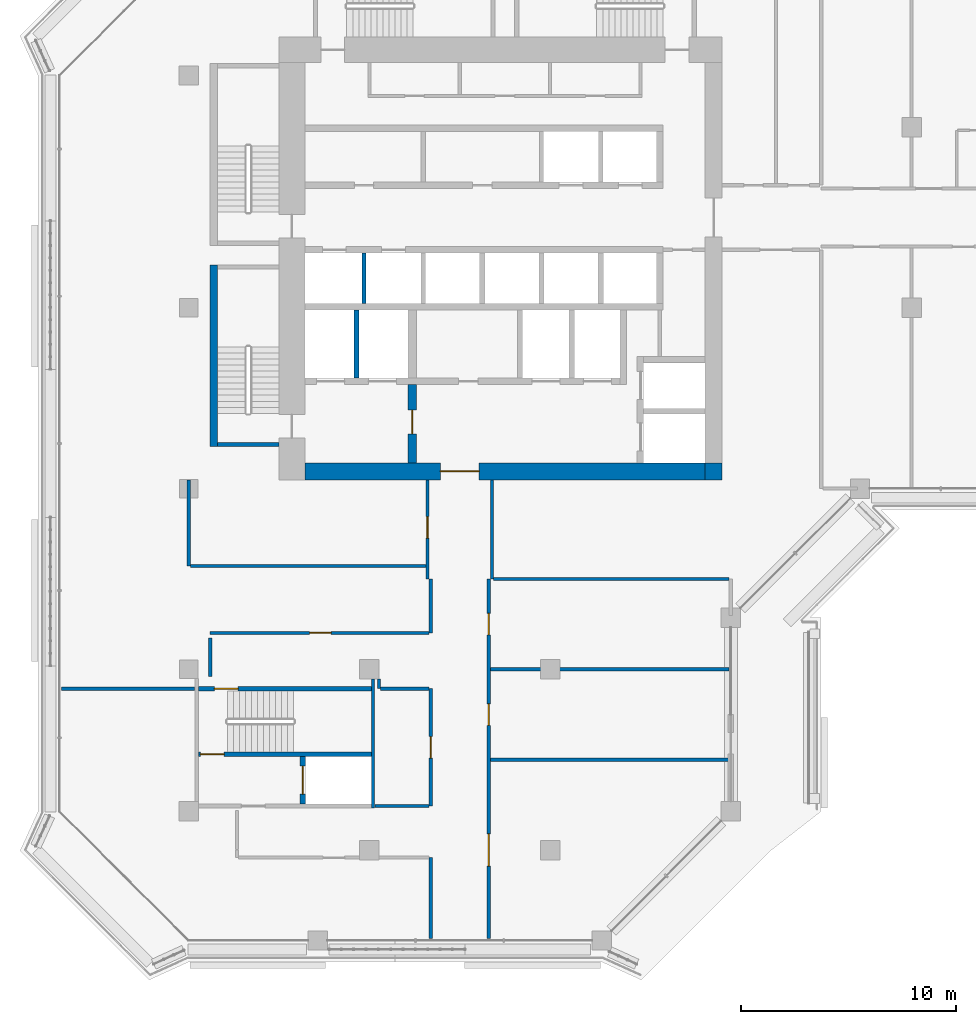
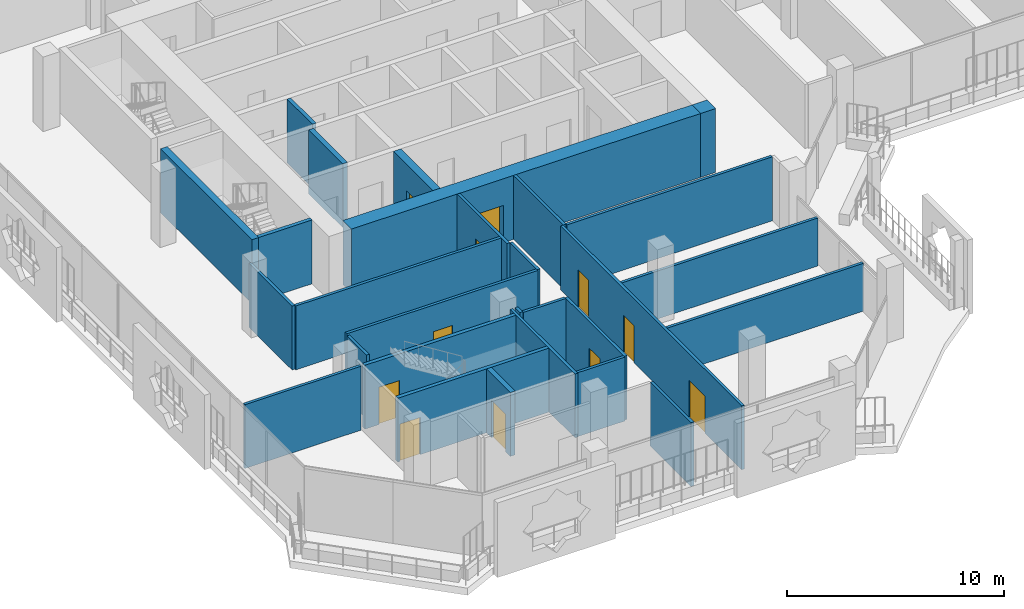
# One storey, part 10 of 22: 28 walls, 11 doors, 11 openings.
"""IFC4 building model written with IfcOpenShell, lengths in metres."""

from ifc_helpers import new_model, si_unit, direction, frame, frame_2d, origin, place, context, subcontext, project, spatial, rectangle, extrude, material, layer, layer_set, type_object, element, fill, save


model = new_model("IFC4")

# Units and contexts
model_context = context("Model", 3, precision=1e-05, world=origin(), true_north=direction((0.0, 1.0)))
body_context = subcontext(model_context, "Body", "Model", "MODEL_VIEW")
ifc_project = project(units=[si_unit("LENGTHUNIT", "METRE"), si_unit("AREAUNIT", "SQUARE_METRE"), si_unit("VOLUMEUNIT", "CUBIC_METRE"), si_unit("PLANEANGLEUNIT", "RADIAN"), si_unit("MASSUNIT", "GRAM", prefix="KILO")], contexts=[model_context])

# Site, building, storey
site_placement = place(None, origin())
site = spatial("IfcSite", under=ifc_project, at=site_placement, CompositionType="ELEMENT")
building_placement = place(site_placement, origin())
building = spatial("IfcBuilding", under=site, at=building_placement, Name="Kawkab Arch Medical Tower", CompositionType="ELEMENT")
storey_placement = place(building_placement, frame((0.0, 0.0, 251.60009765625)))
storey = spatial("IfcBuildingStorey", under=building, at=storey_placement, Name="L58", CompositionType="ELEMENT", Elevation=251.60009765625)

# Wall, opening, door
ifc_material_1 = material(Name="Concrete C50/60", Category="concrete")
ifc_layer_1 = layer(ifc_material_1, 0.800048828125)
ifc_layer_set_1 = layer_set([ifc_layer_1], Name="Concrete C50/60")
wall_type_1 = type_object("IfcWallType", Name="Core ring wall 800 C50/60", PredefinedType="SHEAR", material=ifc_layer_set_1)
wall_1_placement = place(storey_placement, frame((5.39990234375, -24.39990234375, 0.0), z_axis=(0.0, 0.0, 1.0), x_axis=(1.0, 0.0, 0.0)))
wall_1 = element("IfcWall", 1, at=wall_1_placement, inside=storey, type_object=wall_type_1, Name="L58 core wall", PredefinedType="SHEAR", context=body_context, shape_type="SweptSolid", body=[
    extrude(rectangle(XDim=18.60009765625, YDim=0.800048828125, at=frame_2d((9.300048828125, 0.0))), origin(), (0.0, 0.0, 1.0), 3.599853515625),
])
opening_1_placement = place(wall_1_placement, frame((6.300048828125, 0.0, 0.0)))
opening_1 = element("IfcOpeningElement", 2, at=opening_1_placement, cuts=wall_1, Name="Opening PD", PredefinedType="OPENING", context=body_context, shape_type="SweptSolid", body=[
    extrude(rectangle(XDim=1.800048828125, YDim=2.10009765625, at=frame_2d((0.89990234375, 1.050048828125))), frame((0.0, 0.409912109375, 0.0), z_axis=(0.0, -1.0, 0.0), x_axis=(1.0, 0.0, 0.0)), (0.0, 0.0, 1.0), 0.820068359375),
])
ifc_material_2 = material(Name="Hollow metal fire door leaf")
door_type_1 = type_object("IfcDoorType", Name="Core entrance doors 1800", OperationType="DOUBLE_DOOR_SINGLE_SWING", PredefinedType="DOOR", material=ifc_material_2)
door_1_placement = place(opening_1_placement, origin())
door_1 = element("IfcDoor", 3, at=door_1_placement, inside=storey, type_object=door_type_1, Name="L58 South entrance doors", OperationType="DOUBLE_DOOR_SINGLE_SWING", OverallHeight=2.10009765625, OverallWidth=1.800048828125, PredefinedType="DOOR", context=body_context, shape_type="SweptSolid", body=[
    extrude(rectangle(XDim=1.800048828125, YDim=2.10009765625, at=frame_2d((0.89990234375, 1.050048828125))), frame((0.0, 0.02490234375, 0.0), z_axis=(0.0, -1.0, 0.0), x_axis=(1.0, 0.0, 0.0)), (0.0, 0.0, 1.0), 0.050048828125),
])
fill(opening_1, door_1)

# Walls
wall_2_placement = place(storey_placement, frame((24.39990234375, -24.800048828125, 0.0), z_axis=(0.0, 0.0, 1.0), x_axis=(0.0, 1.0, 0.0)))
element("IfcWall", 4, at=wall_2_placement, inside=storey, type_object=wall_type_1, Name="L58 core wall", PredefinedType="SHEAR", context=body_context, shape_type="SweptSolid", body=[
    extrude(rectangle(XDim=0.800048828125, YDim=0.800048828125, at=frame_2d((0.39990234375, 0.0))), origin(), (0.0, 0.0, 1.0), 3.599853515625),
])
ifc_material_3 = material(Name="Concrete C60/75", Category="concrete")
ifc_layer_2 = layer(ifc_material_3, 0.25)
ifc_layer_set_2 = layer_set([ifc_layer_2], Name="Concrete C60/75")
wall_type_2 = type_object("IfcWallType", Name="Core shear wall 250 C60/75", PredefinedType="SHEAR", material=ifc_layer_set_2)
wall_3_placement = place(storey_placement, frame((7.800048828125, -20.050048828125, 0.0), z_axis=(0.0, 0.0, 1.0), x_axis=(0.0, 1.0, 0.0)))
element("IfcWall", 5, at=wall_3_placement, inside=storey, type_object=wall_type_2, Name="L58 core shear wall", PredefinedType="SHEAR", context=body_context, shape_type="SweptSolid", body=[
    extrude(rectangle(XDim=3.150146484375, YDim=0.25, at=frame_2d((1.5751953125, 0.0))), origin(), (0.0, 0.0, 1.0), 3.599853515625),
])

# Wall, opening, door
wall_4_placement = place(storey_placement, frame((5.300048828125, -39.85009765625, 0.0), z_axis=(0.0, 0.0, 1.0), x_axis=(0.0, 1.0, 0.0)))
wall_4 = element("IfcWall", 6, at=wall_4_placement, inside=storey, type_object=wall_type_2, Name="L58 core shear wall", PredefinedType="SHEAR", context=body_context, shape_type="SweptSolid", body=[
    extrude(rectangle(XDim=2.2001953125, YDim=0.25, at=frame_2d((1.10009765625, 0.0))), origin(), (0.0, 0.0, 1.0), 3.599853515625),
])
opening_2_placement = place(wall_4_placement, frame((0.449951171875, 0.0, 0.0)))
opening_2 = element("IfcOpeningElement", 7, at=opening_2_placement, cuts=wall_4, Name="Opening LD2", PredefinedType="OPENING", context=body_context, shape_type="SweptSolid", body=[
    extrude(rectangle(XDim=1.300048828125, YDim=2.10009765625, at=frame_2d((0.64990234375, 1.050048828125))), frame((0.0, 0.135009765625, 0.0), z_axis=(0.0, -1.0, 0.0), x_axis=(1.0, 0.0, 0.0)), (0.0, 0.0, 1.0), 0.27001953125),
])
ifc_material_4 = material(Name="Stainless steel lift door leaf", Category="steel")
door_type_2 = type_object("IfcDoorType", Name="Lift landing door 1300", OperationType="DOUBLE_DOOR_SLIDING", PredefinedType="DOOR", material=ifc_material_4)
door_2_placement = place(opening_2_placement, origin())
door_2 = element("IfcDoor", 8, at=door_2_placement, inside=storey, type_object=door_type_2, Name="L58 Lift landing door SV2", OperationType="DOUBLE_DOOR_SLIDING", OverallHeight=2.10009765625, OverallWidth=1.300048828125, PredefinedType="DOOR", context=body_context, shape_type="SweptSolid", body=[
    extrude(rectangle(XDim=1.300048828125, YDim=2.10009765625, at=frame_2d((0.64990234375, 1.050048828125))), frame((0.0, 0.02490234375, 0.0), z_axis=(0.0, -1.0, 0.0), x_axis=(1.0, 0.0, 0.0)), (0.0, 0.0, 1.0), 0.050048828125),
])
fill(opening_2, door_2)

ifc_material_5 = material(Name="Concrete C60/75", Category="concrete")
ifc_layer_3 = layer(ifc_material_5, 0.39990234375)
ifc_layer_set_3 = layer_set([ifc_layer_3], Name="Concrete C60/75")
wall_type_3 = type_object("IfcWallType", Name="Core shear wall 400 C60/75", PredefinedType="SHEAR", material=ifc_layer_set_3)
wall_5_placement = place(storey_placement, frame((10.39990234375, -24.0, 0.0), z_axis=(0.0, 0.0, 1.0), x_axis=(0.0, 1.0, 0.0)))
wall_5 = element("IfcWall", 9, at=wall_5_placement, inside=storey, type_object=wall_type_3, Name="L58 core shear wall", PredefinedType="SHEAR", context=body_context, shape_type="SweptSolid", body=[
    extrude(rectangle(XDim=3.64990234375, YDim=0.39990234375, at=frame_2d((1.824951171875, 0.0))), origin(), (0.0, 0.0, 1.0), 3.599853515625),
])
opening_3_placement = place(wall_5_placement, frame((1.35009765625, 0.0, 0.0)))
opening_3 = element("IfcOpeningElement", 10, at=opening_3_placement, cuts=wall_5, Name="Opening FD", PredefinedType="OPENING", context=body_context, shape_type="SweptSolid", body=[
    extrude(rectangle(XDim=1.10009765625, YDim=2.10009765625, at=frame_2d((0.550048828125, 1.050048828125))), frame((0.0, 0.2099609375, 0.0), z_axis=(0.0, -1.0, 0.0), x_axis=(1.0, 0.0, 0.0)), (0.0, 0.0, 1.0), 0.419921875),
])
ifc_material_6 = material(Name="Hollow metal fire door leaf")
door_type_3 = type_object("IfcDoorType", Name="Firefighting lobby door 1100", OperationType="SINGLE_SWING_LEFT", PredefinedType="DOOR", material=ifc_material_6)
door_3_placement = place(opening_3_placement, origin())
door_3 = element("IfcDoor", 11, at=door_3_placement, inside=storey, type_object=door_type_3, Name="L58 Firefighting lobby door", OperationType="SINGLE_SWING_LEFT", OverallHeight=2.10009765625, OverallWidth=1.10009765625, PredefinedType="DOOR", context=body_context, shape_type="SweptSolid", body=[
    extrude(rectangle(XDim=1.10009765625, YDim=2.10009765625, at=frame_2d((0.550048828125, 1.050048828125))), frame((0.0, 0.02490234375, 0.0), z_axis=(0.0, -1.0, 0.0), x_axis=(1.0, 0.0, 0.0)), (0.0, 0.0, 1.0), 0.050048828125),
])
fill(opening_3, door_3)

# Walls
ifc_material_7 = material(Name="Dense concrete blockwork", Category="masonry")
ifc_layer_4 = layer(ifc_material_7, 0.199951171875)
ifc_layer_set_4 = layer_set([ifc_layer_4], Name="Dense concrete blockwork")
wall_type_4 = type_object("IfcWallType", Name="Lift shaft partition 200", PredefinedType="PARTITIONING", material=ifc_layer_set_4)
wall_6_placement = place(storey_placement, frame((8.14990234375, -16.60009765625, 0.0), z_axis=(0.0, 0.0, 1.0), x_axis=(0.0, 1.0, 0.0)))
element("IfcWall", 12, at=wall_6_placement, inside=storey, type_object=wall_type_4, Name="L58 lift shaft partition", PredefinedType="PARTITIONING", context=body_context, shape_type="SweptSolid", body=[
    extrude(rectangle(XDim=2.35009765625, YDim=0.199951171875, at=frame_2d((1.175048828125, 0.0))), origin(), (0.0, 0.0, 1.0), 3.599853515625),
])
ifc_material_8 = material(Name="Gypsum board partition on steel studs, mineral wool", Category="steel")
ifc_layer_5 = layer(ifc_material_8, 0.14990234375)
ifc_layer_set_5 = layer_set([ifc_layer_5], Name="Gypsum board partition on steel studs, mineral wool")
wall_type_5 = type_object("IfcWallType", Name="Partition 150", PredefinedType="PARTITIONING", material=ifc_layer_set_5)
wall_7_placement = place(storey_placement, frame((8.64990234375, -39.949951171875, 0.0), z_axis=(0.0, 0.0, 1.0), x_axis=(1.0, 0.0, 0.0)))
element("IfcWall", 13, at=wall_7_placement, inside=storey, type_object=wall_type_5, Name="Partition 150 w013", PredefinedType="PARTITIONING", context=body_context, shape_type="SweptSolid", body=[
    extrude(rectangle(XDim=2.525146484375, YDim=0.14990234375, at=frame_2d((1.2626953125, 0.0))), origin(), (0.0, 0.0, 1.0), 3.599853515625),
])
wall_8_placement = place(storey_placement, frame((14.02490234375, -37.800048828125, 0.0), z_axis=(0.0, 0.0, 1.0), x_axis=(1.0, 0.0, 0.0)))
element("IfcWall", 14, at=wall_8_placement, inside=storey, type_object=wall_type_5, Name="Partition 150 w014", PredefinedType="PARTITIONING", context=body_context, shape_type="SweptSolid", body=[
    extrude(rectangle(XDim=11.09521484375, YDim=0.14990234375, at=frame_2d((5.547607421875, 0.0))), origin(), (0.0, 0.0, 1.0), 2.699951171875),
])
wall_9_placement = place(storey_placement, frame((-5.919921875, -34.5, 0.0), z_axis=(0.0, 0.0, 1.0), x_axis=(1.0, 0.0, 0.0)))
element("IfcWall", 15, at=wall_9_placement, inside=storey, type_object=wall_type_5, Name="Partition 150 w015", PredefinedType="PARTITIONING", context=body_context, shape_type="SweptSolid", body=[
    extrude(rectangle(XDim=6.18994140625, YDim=0.14990234375, at=frame_2d((3.094970703125, 0.0))), origin(), (0.0, 0.0, 1.0), 3.599853515625),
])
wall_10_placement = place(storey_placement, frame((8.927001953125, -34.5, 0.0), z_axis=(0.0, 0.0, 1.0), x_axis=(1.0, 0.0, 0.0)))
element("IfcWall", 16, at=wall_10_placement, inside=storey, type_object=wall_type_5, Name="Partition 150 w016", PredefinedType="PARTITIONING", context=body_context, shape_type="SweptSolid", body=[
    extrude(rectangle(XDim=2.248046875, YDim=0.14990234375, at=frame_2d((1.1240234375, 0.0))), origin(), (0.0, 0.0, 1.0), 3.599853515625),
])
wall_11_placement = place(storey_placement, frame((14.02490234375, -33.60009765625, 0.0), z_axis=(0.0, 0.0, 1.0), x_axis=(1.0, 0.0, 0.0)))
element("IfcWall", 17, at=wall_11_placement, inside=storey, type_object=wall_type_5, Name="Partition 150 w017", PredefinedType="PARTITIONING", context=body_context, shape_type="SweptSolid", body=[
    extrude(rectangle(XDim=11.09521484375, YDim=0.14990234375, at=frame_2d((5.547607421875, 0.0))), origin(), (0.0, 0.0, 1.0), 2.699951171875),
])

# Wall, opening, door
wall_12_placement = place(storey_placement, frame((1.001953125, -31.906982421875, 0.0), z_axis=(0.0, 0.0, 1.0), x_axis=(1.0, 0.0, 0.0)))
wall_12 = element("IfcWall", 18, at=wall_12_placement, inside=storey, type_object=wall_type_5, Name="Partition 150 w018", PredefinedType="PARTITIONING", context=body_context, shape_type="SweptSolid", body=[
    extrude(rectangle(XDim=10.173095703125, YDim=0.14990234375, at=frame_2d((5.08642578125, 0.0))), origin(), (0.0, 0.0, 1.0), 3.599853515625),
])
opening_4_placement = place(wall_12_placement, frame((4.6240234375, 0.0, 0.0)))
opening_4 = element("IfcOpeningElement", 19, at=opening_4_placement, cuts=wall_12, Name="Opening W53-018", PredefinedType="OPENING", context=body_context, shape_type="SweptSolid", body=[
    extrude(rectangle(XDim=1.0, YDim=2.10009765625, at=frame_2d((0.5, 1.050048828125))), frame((0.0, 0.0849609375, 0.0), z_axis=(0.0, -1.0, 0.0), x_axis=(1.0, 0.0, 0.0)), (0.0, 0.0, 1.0), 0.169921875),
])
ifc_material_9 = material(Name="Hollow metal door leaf")
door_type_4 = type_object("IfcDoorType", Name="Single door 1000x2100 FD30S", OperationType="NOTDEFINED", PredefinedType="DOOR", material=ifc_material_9)
door_4_placement = place(opening_4_placement, origin())
door_4 = element("IfcDoor", 20, at=door_4_placement, inside=storey, type_object=door_type_4, Name="Door W53-018", OperationType="SINGLE_SWING_RIGHT", OverallHeight=2.10009765625, OverallWidth=1.0, PredefinedType="DOOR", context=body_context, shape_type="SweptSolid", body=[
    extrude(rectangle(XDim=1.0, YDim=2.10009765625, at=frame_2d((0.5, 1.050048828125))), frame((0.0, 0.02490234375, 0.0), z_axis=(0.0, -1.0, 0.0), x_axis=(1.0, 0.0, 0.0)), (0.0, 0.0, 1.0), 0.050048828125),
])
fill(opening_4, door_4)

# Walls
wall_13_placement = place(storey_placement, frame((14.175048828125, -29.39990234375, 0.0), z_axis=(0.0, 0.0, 1.0), x_axis=(1.0, 0.0, 0.0)))
element("IfcWall", 21, at=wall_13_placement, inside=storey, type_object=wall_type_5, Name="Partition 150 w019", PredefinedType="PARTITIONING", context=body_context, shape_type="SweptSolid", body=[
    extrude(rectangle(XDim=10.949951171875, YDim=0.14990234375, at=frame_2d((5.47509765625, 0.0))), origin(), (0.0, 0.0, 1.0), 3.599853515625),
])
wall_14_placement = place(storey_placement, frame((0.076904296875, -28.800048828125, 0.0), z_axis=(0.0, 0.0, 1.0), x_axis=(1.0, 0.0, 0.0)))
element("IfcWall", 22, at=wall_14_placement, inside=storey, type_object=wall_type_5, Name="Partition 150 w020", PredefinedType="PARTITIONING", context=body_context, shape_type="SweptSolid", body=[
    extrude(rectangle(XDim=10.947998046875, YDim=0.14990234375, at=frame_2d((5.47412109375, 0.0))), origin(), (0.0, 0.0, 1.0), 3.599853515625),
])
wall_15_placement = place(storey_placement, frame((0.0, -28.797119140625, 0.0), z_axis=(0.0, 0.0, 1.0), x_axis=(0.0, 1.0, 0.0)))
element("IfcWall", 23, at=wall_15_placement, inside=storey, type_object=wall_type_5, Name="Partition 150 w031", PredefinedType="PARTITIONING", context=body_context, shape_type="SweptSolid", body=[
    extrude(rectangle(XDim=3.9970703125, YDim=0.14990234375, at=frame_2d((1.99853515625, 0.0))), origin(), (0.0, 0.0, 1.0), 3.599853515625),
])
wall_16_placement = place(storey_placement, frame((1.0, -33.927001953125, 0.0), z_axis=(0.0, 0.0, 1.0), x_axis=(0.0, 1.0, 0.0)))
element("IfcWall", 24, at=wall_16_placement, inside=storey, type_object=wall_type_5, Name="Partition 150 w032", PredefinedType="PARTITIONING", context=body_context, shape_type="SweptSolid", body=[
    extrude(rectangle(XDim=1.787109375, YDim=0.14990234375, at=frame_2d((0.8935546875, 0.0))), origin(), (0.0, 0.0, 1.0), 3.599853515625),
])
wall_17_placement = place(storey_placement, frame((8.85009765625, -34.498046875, 0.0), z_axis=(0.0, 0.0, 1.0), x_axis=(0.0, 1.0, 0.0)))
element("IfcWall", 25, at=wall_17_placement, inside=storey, type_object=wall_type_5, Name="Partition 150 w035", PredefinedType="PARTITIONING", context=body_context, shape_type="SweptSolid", body=[
    extrude(rectangle(XDim=0.447021484375, YDim=0.14990234375, at=frame_2d((0.2236328125, 0.0))), origin(), (0.0, 0.0, 1.0), 3.599853515625),
])

# Wall, opening, door
wall_18_placement = place(storey_placement, frame((11.10009765625, -29.39697265625, 0.0), z_axis=(0.0, 0.0, 1.0), x_axis=(0.0, 1.0, 0.0)))
wall_18 = element("IfcWall", 26, at=wall_18_placement, inside=storey, type_object=wall_type_5, Name="Partition 150 w036", PredefinedType="PARTITIONING", context=body_context, shape_type="SweptSolid", body=[
    extrude(rectangle(XDim=4.596923828125, YDim=0.14990234375, at=frame_2d((2.29833984375, 0.0))), origin(), (0.0, 0.0, 1.0), 3.599853515625),
])
opening_5_placement = place(wall_18_placement, frame((1.89697265625, 0.0, 0.0)))
opening_5 = element("IfcOpeningElement", 27, at=opening_5_placement, cuts=wall_18, Name="Opening W53-017", PredefinedType="OPENING", context=body_context, shape_type="SweptSolid", body=[
    extrude(rectangle(XDim=1.0, YDim=2.10009765625, at=frame_2d((0.5, 1.050048828125))), frame((0.0, 0.0849609375, 0.0), z_axis=(0.0, -1.0, 0.0), x_axis=(1.0, 0.0, 0.0)), (0.0, 0.0, 1.0), 0.169921875),
])
door_5_placement = place(opening_5_placement, origin())
door_5 = element("IfcDoor", 28, at=door_5_placement, inside=storey, type_object=door_type_4, Name="Door W53-017", OperationType="SINGLE_SWING_LEFT", OverallHeight=2.10009765625, OverallWidth=1.0, PredefinedType="DOOR", context=body_context, shape_type="SweptSolid", body=[
    extrude(rectangle(XDim=1.0, YDim=2.10009765625, at=frame_2d((0.5, 1.050048828125))), frame((0.0, 0.02490234375, 0.0), z_axis=(0.0, -1.0, 0.0), x_axis=(1.0, 0.0, 0.0)), (0.0, 0.0, 1.0), 0.050048828125),
])
fill(opening_5, door_5)

# Wall
wall_19_placement = place(storey_placement, frame((11.25, -46.1201171875, 0.0), z_axis=(0.0, 0.0, 1.0), x_axis=(0.0, 1.0, 0.0)))
element("IfcWall", 29, at=wall_19_placement, inside=storey, type_object=wall_type_5, Name="Partition 150 w037", PredefinedType="PARTITIONING", context=body_context, shape_type="SweptSolid", body=[
    extrude(rectangle(XDim=3.77001953125, YDim=0.14990234375, at=frame_2d((1.885009765625, 0.0))), origin(), (0.0, 0.0, 1.0), 3.599853515625),
])

# Wall, opening, door
wall_20_placement = place(storey_placement, frame((11.25, -39.949951171875, 0.0), z_axis=(0.0, 0.0, 1.0), x_axis=(0.0, 1.0, 0.0)))
wall_20 = element("IfcWall", 30, at=wall_20_placement, inside=storey, type_object=wall_type_5, Name="Partition 150 w038", PredefinedType="PARTITIONING", context=body_context, shape_type="SweptSolid", body=[
    extrude(rectangle(XDim=5.449951171875, YDim=0.14990234375, at=frame_2d((2.72509765625, 0.0))), origin(), (0.0, 0.0, 1.0), 3.599853515625),
])
opening_6_placement = place(wall_20_placement, frame((2.22509765625, 0.0, 0.0)))
opening_6 = element("IfcOpeningElement", 31, at=opening_6_placement, cuts=wall_20, Name="Opening W53-019", PredefinedType="OPENING", context=body_context, shape_type="SweptSolid", body=[
    extrude(rectangle(XDim=1.0, YDim=2.10009765625, at=frame_2d((0.5, 1.050048828125))), frame((0.0, 0.0849609375, 0.0), z_axis=(0.0, -1.0, 0.0), x_axis=(1.0, 0.0, 0.0)), (0.0, 0.0, 1.0), 0.169921875),
])
door_6_placement = place(opening_6_placement, origin())
door_6 = element("IfcDoor", 32, at=door_6_placement, inside=storey, type_object=door_type_4, Name="Door W53-019", OperationType="SINGLE_SWING_LEFT", OverallHeight=2.10009765625, OverallWidth=1.0, PredefinedType="DOOR", context=body_context, shape_type="SweptSolid", body=[
    extrude(rectangle(XDim=1.0, YDim=2.10009765625, at=frame_2d((0.5, 1.050048828125))), frame((0.0, 0.02490234375, 0.0), z_axis=(0.0, -1.0, 0.0), x_axis=(1.0, 0.0, 0.0)), (0.0, 0.0, 1.0), 0.050048828125),
])
fill(opening_6, door_6)

# Wall
wall_21_placement = place(storey_placement, frame((11.25, -31.906982421875, 0.0), z_axis=(0.0, 0.0, 1.0), x_axis=(0.0, 1.0, 0.0)))
element("IfcWall", 33, at=wall_21_placement, inside=storey, type_object=wall_type_5, Name="Partition 150 w039", PredefinedType="PARTITIONING", context=body_context, shape_type="SweptSolid", body=[
    extrude(rectangle(XDim=2.507080078125, YDim=0.14990234375, at=frame_2d((1.25341796875, 0.0))), origin(), (0.0, 0.0, 1.0), 3.599853515625),
])

# Wall, openings, doors
wall_22_placement = place(storey_placement, frame((13.949951171875, -46.1201171875, 0.0), z_axis=(0.0, 0.0, 1.0), x_axis=(0.0, 1.0, 0.0)))
wall_22 = element("IfcWall", 34, at=wall_22_placement, inside=storey, type_object=wall_type_5, Name="Partition 150 w040", PredefinedType="PARTITIONING", context=body_context, shape_type="SweptSolid", body=[
    extrude(rectangle(XDim=16.72021484375, YDim=0.14990234375, at=frame_2d((8.360107421875, 0.0))), origin(), (0.0, 0.0, 1.0), 3.599853515625),
])
opening_7_placement = place(wall_22_placement, frame((14.1201171875, 0.0, 0.0)))
opening_7 = element("IfcOpeningElement", 35, at=opening_7_placement, cuts=wall_22, Name="Opening W53-021", PredefinedType="OPENING", context=body_context, shape_type="SweptSolid", body=[
    extrude(rectangle(XDim=1.0, YDim=2.10009765625, at=frame_2d((0.5, 1.050048828125))), frame((0.0, 0.0849609375, 0.0), z_axis=(0.0, -1.0, 0.0), x_axis=(1.0, 0.0, 0.0)), (0.0, 0.0, 1.0), 0.169921875),
])
opening_8_placement = place(wall_22_placement, frame((9.919921875, 0.0, 0.0)))
opening_8 = element("IfcOpeningElement", 36, at=opening_8_placement, cuts=wall_22, Name="Opening W53-022", PredefinedType="OPENING", context=body_context, shape_type="SweptSolid", body=[
    extrude(rectangle(XDim=1.0, YDim=2.10009765625, at=frame_2d((0.5, 1.050048828125))), frame((0.0, 0.0849609375, 0.0), z_axis=(0.0, -1.0, 0.0), x_axis=(1.0, 0.0, 0.0)), (0.0, 0.0, 1.0), 0.169921875),
])
opening_9_placement = place(wall_22_placement, frame((3.3701171875, 0.0, 0.0)))
opening_9 = element("IfcOpeningElement", 37, at=opening_9_placement, cuts=wall_22, Name="Opening W53-002", PredefinedType="OPENING", context=body_context, shape_type="SweptSolid", body=[
    extrude(rectangle(XDim=1.5, YDim=2.10009765625, at=frame_2d((0.75, 1.050048828125))), frame((0.0, 0.0849609375, 0.0), z_axis=(0.0, -1.0, 0.0), x_axis=(1.0, 0.0, 0.0)), (0.0, 0.0, 1.0), 0.169921875),
])
ifc_material_10 = material(Name="Hollow metal door leaf")
door_type_5 = type_object("IfcDoorType", Name="Double door 1500x2100 FD30S", OperationType="NOTDEFINED", PredefinedType="DOOR", material=ifc_material_10)
door_7_placement = place(opening_9_placement, origin())
door_7 = element("IfcDoor", 38, at=door_7_placement, inside=storey, type_object=door_type_5, Name="Door W53-002", OperationType="DOUBLE_DOOR_SINGLE_SWING", OverallHeight=2.10009765625, OverallWidth=1.5, PredefinedType="DOOR", context=body_context, shape_type="SweptSolid", body=[
    extrude(rectangle(XDim=1.5, YDim=2.10009765625, at=frame_2d((0.75, 1.050048828125))), frame((0.0, 0.02490234375, 0.0), z_axis=(0.0, -1.0, 0.0), x_axis=(1.0, 0.0, 0.0)), (0.0, 0.0, 1.0), 0.050048828125),
])
fill(opening_9, door_7)
door_8_placement = place(opening_7_placement, origin())
door_8 = element("IfcDoor", 39, at=door_8_placement, inside=storey, type_object=door_type_4, Name="Door W53-021", OperationType="SINGLE_SWING_LEFT", OverallHeight=2.10009765625, OverallWidth=1.0, PredefinedType="DOOR", context=body_context, shape_type="SweptSolid", body=[
    extrude(rectangle(XDim=1.0, YDim=2.10009765625, at=frame_2d((0.5, 1.050048828125))), frame((0.0, 0.02490234375, 0.0), z_axis=(0.0, -1.0, 0.0), x_axis=(1.0, 0.0, 0.0)), (0.0, 0.0, 1.0), 0.050048828125),
])
fill(opening_7, door_8)
door_9_placement = place(opening_8_placement, origin())
door_9 = element("IfcDoor", 40, at=door_9_placement, inside=storey, type_object=door_type_4, Name="Door W53-022", OperationType="SINGLE_SWING_LEFT", OverallHeight=2.10009765625, OverallWidth=1.0, PredefinedType="DOOR", context=body_context, shape_type="SweptSolid", body=[
    extrude(rectangle(XDim=1.0, YDim=2.10009765625, at=frame_2d((0.5, 1.050048828125))), frame((0.0, 0.02490234375, 0.0), z_axis=(0.0, -1.0, 0.0), x_axis=(1.0, 0.0, 0.0)), (0.0, 0.0, 1.0), 0.050048828125),
])
fill(opening_8, door_9)

# Walls
wall_23_placement = place(storey_placement, frame((14.10009765625, -29.39990234375, 0.0), z_axis=(0.0, 0.0, 1.0), x_axis=(0.0, 1.0, 0.0)))
element("IfcWall", 41, at=wall_23_placement, inside=storey, type_object=wall_type_5, Name="Partition 150 w041", PredefinedType="PARTITIONING", context=body_context, shape_type="SweptSolid", body=[
    extrude(rectangle(XDim=4.599853515625, YDim=0.14990234375, at=frame_2d((2.2998046875, 0.0))), origin(), (0.0, 0.0, 1.0), 3.599853515625),
])
ifc_material_11 = material(Name="Concrete C50/60", Category="concrete")
ifc_layer_6 = layer(ifc_material_11, 0.14990234375)
ifc_layer_set_6 = layer_set([ifc_layer_6], Name="Concrete C50/60")
wall_type_6 = type_object("IfcWallType", Name="Stair enclosure wall 150 C50/60", PredefinedType="SHEAR", material=ifc_layer_set_6)
wall_24_placement = place(storey_placement, frame((8.574951171875, -40.050048828125, 0.0), z_axis=(0.0, 0.0, 1.0), x_axis=(0.0, 1.0, 0.0)))
element("IfcWall", 42, at=wall_24_placement, inside=storey, type_object=wall_type_6, Name="L58 stair enclosure wall", PredefinedType="SHEAR", context=body_context, shape_type="SweptSolid", body=[
    extrude(rectangle(XDim=6.0, YDim=0.14990234375, at=frame_2d((3.0, 0.0))), origin(), (0.0, 0.0, 1.0), 3.599853515625),
])
ifc_material_12 = material(Name="Concrete C50/60", Category="concrete")
ifc_layer_7 = layer(ifc_material_12, 0.199951171875)
ifc_layer_set_7 = layer_set([ifc_layer_7], Name="Concrete C50/60")
wall_type_7 = type_object("IfcWallType", Name="Stair enclosure wall 200 C50/60", PredefinedType="SHEAR", material=ifc_layer_set_7)
wall_25_placement = place(storey_placement, frame((1.35009765625, -23.14990234375, 0.0), z_axis=(0.0, 0.0, 1.0), x_axis=(1.0, 0.0, 0.0)))
element("IfcWall", 43, at=wall_25_placement, inside=storey, type_object=wall_type_7, Name="L58 stair enclosure wall", PredefinedType="SHEAR", context=body_context, shape_type="SweptSolid", body=[
    extrude(rectangle(XDim=2.849853515625, YDim=0.199951171875, at=frame_2d((1.4248046875, 0.0))), origin(), (0.0, 0.0, 1.0), 3.599853515625),
])

# Wall, opening, door
wall_26_placement = place(storey_placement, frame((0.449951171875, -34.5, 0.0), z_axis=(0.0, 0.0, 1.0), x_axis=(1.0, 0.0, 0.0)))
wall_26 = element("IfcWall", 44, at=wall_26_placement, inside=storey, type_object=wall_type_7, Name="L58 stair enclosure wall", PredefinedType="SHEAR", context=body_context, shape_type="SweptSolid", body=[
    extrude(rectangle(XDim=8.050048828125, YDim=0.199951171875, at=frame_2d((4.02490234375, 0.0))), origin(), (0.0, 0.0, 1.0), 3.599853515625),
])
opening_10_placement = place(wall_26_placement, frame((0.75, 0.0, 0.0)))
opening_10 = element("IfcOpeningElement", 45, at=opening_10_placement, cuts=wall_26, Name="Opening SD", PredefinedType="OPENING", context=body_context, shape_type="SweptSolid", body=[
    extrude(rectangle(XDim=1.10009765625, YDim=2.10009765625, at=frame_2d((0.550048828125, 1.050048828125))), frame((0.0, 0.10986328125, 0.0), z_axis=(0.0, -1.0, 0.0), x_axis=(1.0, 0.0, 0.0)), (0.0, 0.0, 1.0), 0.219970703125),
])
ifc_material_13 = material(Name="Hollow metal fire door leaf")
door_type_6 = type_object("IfcDoorType", Name="Exit stair door 1100", OperationType="SINGLE_SWING_LEFT", PredefinedType="DOOR", material=ifc_material_13)
door_10_placement = place(opening_10_placement, origin())
door_10 = element("IfcDoor", 46, at=door_10_placement, inside=storey, type_object=door_type_6, Name="L58 Exit stair ST6 door", OperationType="SINGLE_SWING_LEFT", OverallHeight=2.10009765625, OverallWidth=1.10009765625, PredefinedType="DOOR", context=body_context, shape_type="SweptSolid", body=[
    extrude(rectangle(XDim=1.10009765625, YDim=2.10009765625, at=frame_2d((0.550048828125, 1.050048828125))), frame((0.0, 0.02490234375, 0.0), z_axis=(0.0, -1.0, 0.0), x_axis=(1.0, 0.0, 0.0)), (0.0, 0.0, 1.0), 0.050048828125),
])
fill(opening_10, door_10)

wall_27_placement = place(storey_placement, frame((0.449951171875, -37.550048828125, 0.0), z_axis=(0.0, 0.0, 1.0), x_axis=(1.0, 0.0, 0.0)))
wall_27 = element("IfcWall", 47, at=wall_27_placement, inside=storey, type_object=wall_type_7, Name="L58 stair enclosure wall", PredefinedType="SHEAR", context=body_context, shape_type="SweptSolid", body=[
    extrude(rectangle(XDim=8.050048828125, YDim=0.199951171875, at=frame_2d((4.02490234375, 0.0))), origin(), (0.0, 0.0, 1.0), 3.599853515625),
])
opening_11_placement = place(wall_27_placement, frame((0.10009765625, 0.0, 0.0)))
opening_11 = element("IfcOpeningElement", 48, at=opening_11_placement, cuts=wall_27, Name="Opening SD", PredefinedType="OPENING", context=body_context, shape_type="SweptSolid", body=[
    extrude(rectangle(XDim=1.10009765625, YDim=2.10009765625, at=frame_2d((0.550048828125, 1.050048828125))), frame((0.0, 0.10986328125, 0.0), z_axis=(0.0, -1.0, 0.0), x_axis=(1.0, 0.0, 0.0)), (0.0, 0.0, 1.0), 0.219970703125),
])
door_11_placement = place(opening_11_placement, frame((1.10009765625, 0.0, 0.0), z_axis=(0.0, 0.0, 1.0), x_axis=(-1.0, 0.0, 0.0)))
door_11 = element("IfcDoor", 49, at=door_11_placement, inside=storey, type_object=door_type_6, Name="L58 Exit stair ST6 lobby door", OperationType="SINGLE_SWING_LEFT", OverallHeight=2.10009765625, OverallWidth=1.10009765625, PredefinedType="DOOR", context=body_context, shape_type="SweptSolid", body=[
    extrude(rectangle(XDim=1.10009765625, YDim=2.10009765625, at=frame_2d((0.550048828125, 1.050048828125))), frame((0.0, 0.02490234375, 0.0), z_axis=(0.0, -1.0, 0.0), x_axis=(1.0, 0.0, 0.0)), (0.0, 0.0, 1.0), 0.050048828125),
])
fill(opening_11, door_11)

# Wall
ifc_material_14 = material(Name="Concrete C50/60", Category="concrete")
ifc_layer_8 = layer(ifc_material_14, 0.35009765625)
ifc_layer_set_8 = layer_set([ifc_layer_8], Name="Concrete C50/60")
wall_type_8 = type_object("IfcWallType", Name="Stair enclosure wall 350 C50/60", PredefinedType="SHEAR", material=ifc_layer_set_8)
wall_28_placement = place(storey_placement, frame((1.175048828125, -23.25, 0.0), z_axis=(0.0, 0.0, 1.0), x_axis=(0.0, 1.0, 0.0)))
element("IfcWall", 50, at=wall_28_placement, inside=storey, type_object=wall_type_8, Name="L58 stair enclosure wall", PredefinedType="SHEAR", context=body_context, shape_type="SweptSolid", body=[
    extrude(rectangle(XDim=8.449951171875, YDim=0.35009765625, at=frame_2d((4.22509765625, 0.0))), origin(), (0.0, 0.0, 1.0), 3.599853515625),
])

save(model, "model.ifc")
